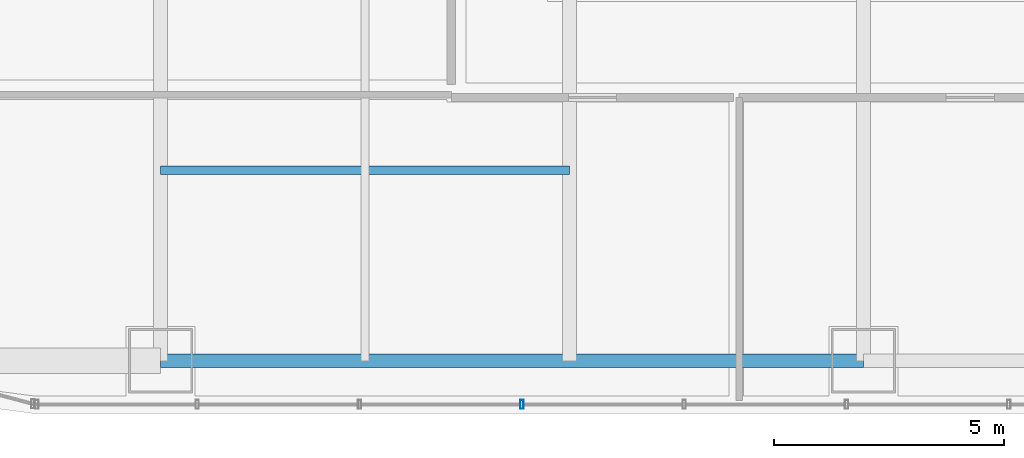
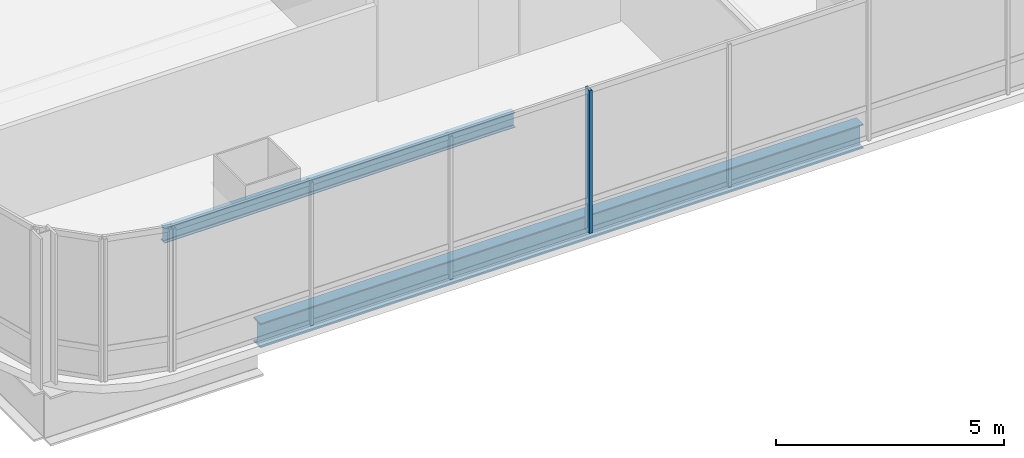
# One storey, part 3 of 37: 2 beams, 1 member, 1 element without a shape of its own.
"""IFC4 building model written with IfcOpenShell, lengths in metres."""

import ifcopenshell
import ifcopenshell.guid

model = None  # the IFC model being written
_history = None  # IfcOwnerHistory: only IFC2X3 demands one
_inside = {}  # id of a spatial element -> (the spatial element, [elements in it])
_under = {}  # id of a project, library or spatial element -> (it, [spatial elements below it])
_declared = {}  # id of a project -> (the project, [libraries it declares])
_typed = {}  # id of a type object -> (the type object, [elements of that type])
_made_of = {}  # id of a material, layer set ... -> (it, [elements and type objects made of it])


def new_model(schema):
    """Start an empty IFC model of exactly this schema.

    Asked for "IFC4X3", IfcOpenShell would pick the latest addendum, in which some entities
    have other attributes; the version numbers below select the first issue.
    IFC2X3 requires an IfcOwnerHistory on every rooted entity: one is made here for all.
    """
    global model, _history
    if schema == "IFC4X3":
        model = ifcopenshell.file(schema_version=(4, 3, 0, 0))
    else:
        model = ifcopenshell.file(schema=schema)
    _inside.clear()
    _under.clear()
    _declared.clear()
    _typed.clear()
    _made_of.clear()
    _history = None
    if model.schema == "IFC2X3":
        org = make("IfcOrganization", Name="unknown")
        user = make(
            "IfcPersonAndOrganization",
            ThePerson=make("IfcPerson", FamilyName="unknown"),
            TheOrganization=org,
        )
        app = make(
            "IfcApplication",
            ApplicationDeveloper=org,
            Version="unknown",
            ApplicationFullName="unknown",
            ApplicationIdentifier="unknown",
        )
        _history = make(
            "IfcOwnerHistory",
            OwningUser=user,
            OwningApplication=app,
            ChangeAction="ADDED",
            CreationDate=0,
        )
    return model


def make(cls, **values):
    """One entity of the class cls with the attributes given. An attribute that is None is left unset."""
    return model.create_entity(
        cls, **{name: value for name, value in values.items() if value is not None}
    )


def rooted(cls, **values):
    """An entity with a GlobalId (a new one), such as an element, a storey or a relation."""
    return make(cls, GlobalId=ifcopenshell.guid.new(), OwnerHistory=_history, **values)


def si_unit(unit_type, name, prefix=None):
    """IfcSIUnit, for example si_unit("LENGTHUNIT", "METRE", prefix="MILLI")."""
    return make("IfcSIUnit", UnitType=unit_type, Prefix=prefix, Name=name)


def assignment(units):
    """IfcUnitAssignment: the units of a project."""
    return None if units is None else make("IfcUnitAssignment", Units=units)


def point(xyz):
    """IfcCartesianPoint."""
    return None if xyz is None else make("IfcCartesianPoint", Coordinates=xyz)


def direction(xyz):
    """IfcDirection."""
    return None if xyz is None else make("IfcDirection", DirectionRatios=xyz)


def frame(location, z_axis=None, x_axis=None):
    """IfcAxis2Placement3D, a coordinate frame: its origin and axes. An axis left out is left unset."""
    return make(
        "IfcAxis2Placement3D",
        Location=point(location),
        Axis=direction(z_axis),
        RefDirection=direction(x_axis),
    )


def frame_2d(location, x_axis=None):
    """IfcAxis2Placement2D, a coordinate frame in the plane: its origin and x axis."""
    return make(
        "IfcAxis2Placement2D", Location=point(location), RefDirection=direction(x_axis)
    )


def origin():
    """The frame at (0, 0, 0) with its axes left unset."""
    return frame((0.0, 0.0, 0.0))


def origin_2d():
    """The frame at (0, 0) in the plane with its x axis left unset."""
    return frame_2d((0.0, 0.0))


def place(relative_to, where):
    """IfcLocalPlacement: puts the frame where relative to a parent placement (None: the world)."""
    return make(
        "IfcLocalPlacement", PlacementRelTo=relative_to, RelativePlacement=where
    )


def context(
    kind, dimensions, precision=None, world=None, true_north=None, identifier=None
):
    """IfcGeometricRepresentationContext, for example the 3D "Model" context."""
    return make(
        "IfcGeometricRepresentationContext",
        ContextIdentifier=identifier,
        ContextType=kind,
        CoordinateSpaceDimension=dimensions,
        Precision=precision,
        WorldCoordinateSystem=world,
        TrueNorth=true_north,
    )


def subcontext(parent, identifier, kind, view, scale=None):
    """IfcGeometricRepresentationSubContext, for example "Body" below "Model"."""
    return make(
        "IfcGeometricRepresentationSubContext",
        ContextIdentifier=identifier,
        ContextType=kind,
        ParentContext=parent,
        TargetScale=scale,
        TargetView=view,
    )


def project(units=None, contexts=None):
    """IfcProject with its units and contexts."""
    return rooted(
        "IfcProject",
        Name="project",
        RepresentationContexts=contexts,
        UnitsInContext=assignment(units),
    )


def spatial(cls, under=None, at=None, **own):
    """A site, building, storey or space (cls), placed at a placement, below another one or the project."""
    s = rooted(cls, ObjectPlacement=at, **own)
    if under is not None:
        _under.setdefault(under.id(), (under, []))[1].append(s)
    return s


def profile(cls, at=None, kind="AREA", **sizes):
    """A parametric profile (cls). Its sizes go by their IFC names, for example OverallWidth=200.0."""
    return make(cls, ProfileType=kind, Position=at, **sizes)


def hollow_rectangle(**sizes):
    """IfcRectangleHollowProfileDef."""
    return profile("IfcRectangleHollowProfileDef", **sizes)


def i_section(**sizes):
    """IfcIShapeProfileDef."""
    return profile("IfcIShapeProfileDef", **sizes)


def extrude(swept, where, along, depth):
    """IfcExtrudedAreaSolid: the profile swept, set in the frame where, extruded along a direction by depth."""
    return make(
        "IfcExtrudedAreaSolid",
        SweptArea=swept,
        Position=where,
        ExtrudedDirection=direction(along),
        Depth=depth,
    )


def shape(context_of_items, identifier, shape_type, items):
    """IfcShapeRepresentation: the items that make up one representation, for example the "Body"."""
    return make(
        "IfcShapeRepresentation",
        ContextOfItems=context_of_items,
        RepresentationIdentifier=identifier,
        RepresentationType=shape_type,
        Items=items,
    )


def material(Name=None, Category=None):
    """IfcMaterial."""
    return make("IfcMaterial", Name=Name, Category=Category)


def material_profile(
    of_material, cross_section, Name=None, Category=None, Priority=None
):
    """IfcMaterialProfile: a cross section and its material."""
    return make(
        "IfcMaterialProfile",
        Name=Name,
        Material=of_material,
        Profile=cross_section,
        Priority=Priority,
        Category=Category,
    )


def profile_set(profiles, Name=None, composite=None):
    """IfcMaterialProfileSet."""
    return make(
        "IfcMaterialProfileSet",
        Name=Name,
        MaterialProfiles=profiles,
        CompositeProfile=composite,
    )


def made_of(thing, what):
    """Note that an element or type object is made of a material, layer set ...; save() writes the relation."""
    if what is not None:
        _made_of.setdefault(what.id(), (what, []))[1].append(thing)
    return thing


def type_object(cls, material=None, **own):
    """A type object (cls), such as IfcWallType, which elements share."""
    return made_of(rooted(cls, **own), material)


def element(
    cls,
    number,
    at=None,
    inside=None,
    cuts=None,
    type_object=None,
    material=None,
    context=None,
    identifier="Body",
    shape_type=None,
    held_by="IfcProductDefinitionShape",
    body=None,
    shapes=None,
    **own,
):
    """One element of the class cls, such as IfcWall. Its Tag is "e" and its number.

    at: its placement. inside: the storey or other place that contains it. cuts: it is an
    opening in that element (IfcRelVoidsElement). A single representation is given by context,
    identifier, shape_type and body (its items); several are given by shapes. held_by: the class
    of the entity that holds the representations. save() writes the other relations.
    """
    e = rooted(cls, Tag="e%d" % number, ObjectPlacement=at, **own)
    if body is not None:
        shapes = [shape(context, identifier, shape_type, body)]
    if shapes is not None:
        e.Representation = make(held_by, Representations=shapes)
    if inside is not None:
        _inside.setdefault(inside.id(), (inside, []))[1].append(e)
    if cuts is not None:
        rooted(
            "IfcRelVoidsElement", RelatingBuildingElement=cuts, RelatedOpeningElement=e
        )
    if type_object is not None:
        _typed.setdefault(type_object.id(), (type_object, []))[1].append(e)
    return made_of(e, material)


def aggregate(whole, parts):
    """IfcRelAggregates: a whole, such as a stair, and the parts it consists of."""
    return rooted("IfcRelAggregates", RelatingObject=whole, RelatedObjects=parts)


def save(model, path):
    """Write the relations noted so far, then the file.

    IfcRelAggregates (storeys below a building ...), IfcRelContainedInSpatialStructure (elements
    in a storey), IfcRelDefinesByType, IfcRelAssociatesMaterial and IfcRelDeclares: one each for
    every whole, place, type object, material and project.
    """
    for whole, parts in _under.values():
        aggregate(whole, parts)
    for where, things in _inside.values():
        rooted(
            "IfcRelContainedInSpatialStructure",
            RelatedElements=things,
            RelatingStructure=where,
        )
    for kind, things in _typed.values():
        rooted("IfcRelDefinesByType", RelatedObjects=things, RelatingType=kind)
    for what, things in _made_of.values():
        rooted("IfcRelAssociatesMaterial", RelatedObjects=things, RelatingMaterial=what)
    for by, libraries in _declared.values():
        rooted("IfcRelDeclares", RelatingContext=by, RelatedDefinitions=libraries)
    model.write(path)


model = new_model("IFC4")

# Units and contexts
model_context = context("Model", 3, precision=1e-05, world=origin(), true_north=direction((0.0, 1.0)))
body_context = subcontext(model_context, "Body", "Model", "MODEL_VIEW")
ifc_project = project(units=[si_unit("LENGTHUNIT", "METRE"), si_unit("AREAUNIT", "SQUARE_METRE"), si_unit("VOLUMEUNIT", "CUBIC_METRE"), si_unit("PLANEANGLEUNIT", "RADIAN"), si_unit("MASSUNIT", "GRAM", prefix="KILO")], contexts=[model_context])

# Site, building, storey
site_placement = place(None, origin())
site = spatial("IfcSite", under=ifc_project, at=site_placement, CompositionType="ELEMENT")
building_placement = place(site_placement, origin())
building = spatial("IfcBuilding", under=site, at=building_placement, Name="Punatoya Terracotta Tower", CompositionType="ELEMENT")
storey_placement = place(building_placement, frame((0.0, 0.0, 164.10009765625)))
storey = spatial("IfcBuildingStorey", under=building, at=storey_placement, Name="L38", CompositionType="ELEMENT", Elevation=164.10009765625)

# Beams
ifc_material_1 = material(Name="Steel S355", Category="steel")
ifc_material_profile_1 = material_profile(ifc_material_1, i_section(OverallWidth=0.300048828125, OverallDepth=0.64990234375, WebThickness=0.01611328125, FlangeThickness=0.031005859375, FilletRadius=0.01806640625, at=origin_2d()))
ifc_profile_set_1 = profile_set([ifc_material_profile_1], Name="Steel S355")
beam_type_1 = type_object("IfcBeamType", Name="BM-PRI-650", PredefinedType="BEAM", material=ifc_profile_set_1)
beam_1_placement = place(storey_placement, frame((-19.10009765625, -17.5, -0.545166015625), z_axis=(1.0, 0.0, 0.0), x_axis=(0.0, 1.0, 0.0)))
element("IfcBeam", 1, at=beam_1_placement, inside=storey, type_object=beam_type_1, Name="BM-L38-RG-S1", PredefinedType="BEAM", context=body_context, shape_type="SweptSolid", body=[
    extrude(i_section(OverallWidth=0.300048828125, OverallDepth=0.64990234375, WebThickness=0.01611328125, FlangeThickness=0.031005859375, FilletRadius=0.01806640625, at=origin_2d()), origin(), (0.0, 0.0, 1.0), 15.300048828125),
])
ifc_material_profile_2 = material_profile(ifc_material_1, i_section(OverallWidth=0.179931640625, OverallDepth=0.39990234375, WebThickness=0.008544921875, FlangeThickness=0.013427734375, FilletRadius=0.01806640625, at=origin_2d()))
ifc_profile_set_2 = profile_set([ifc_material_profile_2], Name="Steel S355")
beam_type_2 = type_object("IfcBeamType", Name="BM-SEC-400", PredefinedType="JOIST", material=ifc_profile_set_2)
beam_2_placement = place(storey_placement, frame((-19.10009765625, -13.35009765625, -0.420166015625), z_axis=(1.0, 0.0, 0.0), x_axis=(0.0, 1.0, 0.0)))
element("IfcBeam", 2, at=beam_2_placement, inside=storey, type_object=beam_type_2, Name="BM-L38-SJS-1", PredefinedType="JOIST", context=body_context, shape_type="SweptSolid", body=[
    extrude(i_section(OverallWidth=0.179931640625, OverallDepth=0.39990234375, WebThickness=0.008544921875, FlangeThickness=0.013427734375, FilletRadius=0.01806640625, at=origin_2d()), origin(), (0.0, 0.0, 1.0), 8.900146484375),
])

# Curtain wall, member
ifc_material_2 = material(Name="Aluminium 6063-T6 + Double Low-E Glass", Category="aluminium")
curtain_wall_type = type_object("IfcCurtainWallType", Name="CW-M2", PredefinedType="NOTDEFINED", material=ifc_material_2)
curtain_wall_placement = place(storey_placement, origin())
curtain_wall = element("IfcCurtainWall", 3, at=curtain_wall_placement, inside=storey, type_object=curtain_wall_type, Name="L38 Curtain Wall CW-L38-S01-1", PredefinedType="NOTDEFINED")
ifc_material_3 = material(Name="Aluminium 6063-T6", Category="aluminium")
ifc_material_profile_3 = material_profile(ifc_material_3, hollow_rectangle(XDim=0.072021484375, YDim=0.195068359375, WallThickness=0.00439453125, at=origin_2d()))
ifc_profile_set_3 = profile_set([ifc_material_profile_3], Name="Aluminium 6063-T6")
member_type = type_object("IfcMemberType", Name="CW-MUL-M2", PredefinedType="MULLION", material=ifc_profile_set_3)
member_placement = place(storey_placement, frame((-11.235107421875, -18.449951171875, 0.0), z_axis=(0.0, 0.0, 1.0), x_axis=(1.0, 0.0, 0.0)))
member = element("IfcMember", 4, at=member_placement, type_object=member_type, Name="CW-L38-S01-1 Mullion 03", PredefinedType="MULLION", context=body_context, shape_type="SweptSolid", body=[
    extrude(hollow_rectangle(XDim=0.072021484375, YDim=0.195068359375, WallThickness=0.00439453125, at=origin_2d()), origin(), (0.0, 0.0, 1.0), 3.829833984375),
])
aggregate(curtain_wall, [member])

save(model, "model.ifc")
